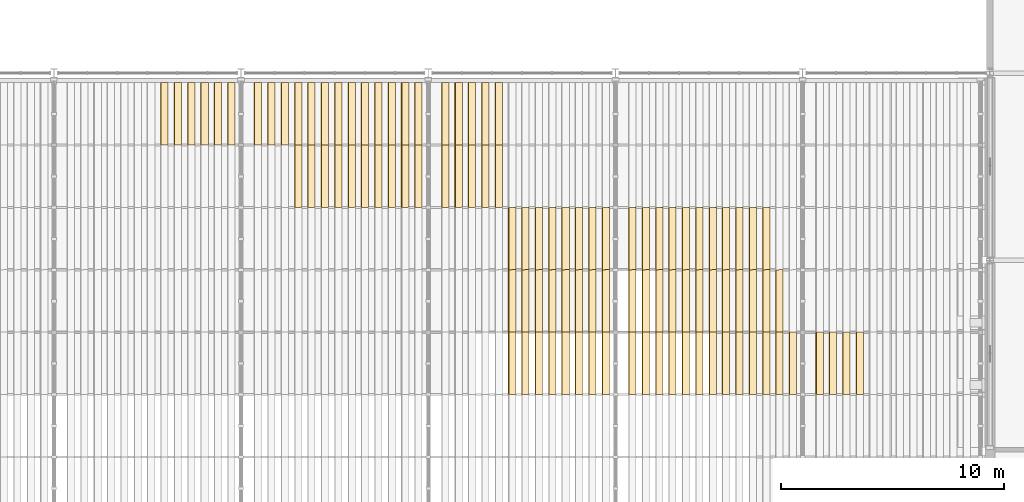
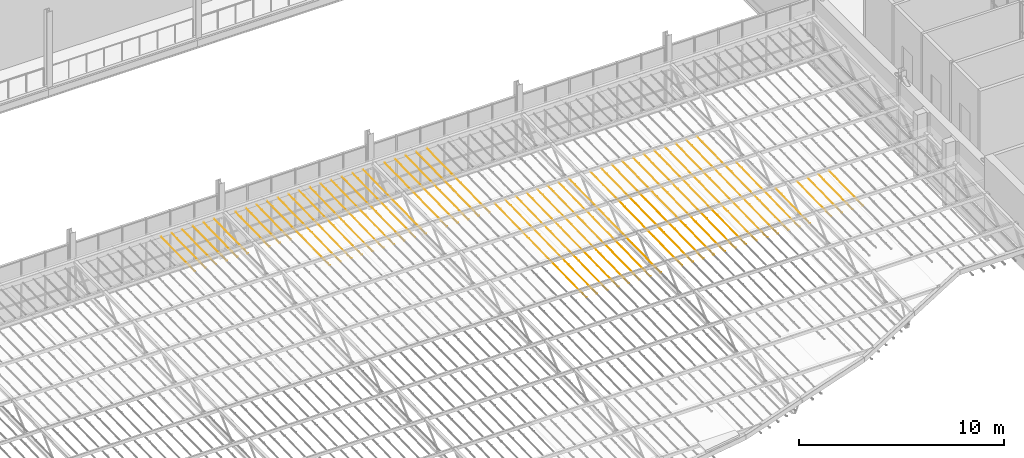
# One storey, part 124 of 129: 103 coverings.
"""IFC4 building model written with IfcOpenShell, lengths in metres."""

from ifc_helpers import new_model, si_unit, direction, frame, origin, place, context, subcontext, project, spatial, polyline, outline, extrude, material, material_profile, profile_set, type_object, element, save


model = new_model("IFC4")

# Units and contexts
model_context = context("Model", 3, precision=1e-05, world=origin(), true_north=direction((0.0, 1.0)))
body_context = subcontext(model_context, "Body", "Model", "MODEL_VIEW")
ifc_project = project(units=[si_unit("LENGTHUNIT", "METRE"), si_unit("AREAUNIT", "SQUARE_METRE"), si_unit("VOLUMEUNIT", "CUBIC_METRE"), si_unit("PLANEANGLEUNIT", "RADIAN"), si_unit("MASSUNIT", "GRAM", prefix="KILO")], contexts=[model_context])

# Site, building, storey
site_placement = place(None, origin())
site = spatial("IfcSite", under=ifc_project, at=site_placement, CompositionType="ELEMENT")
building_placement = place(site_placement, origin())
building = spatial("IfcBuilding", under=site, at=building_placement, Name="Ardhachandra Cancer Care Centre", CompositionType="ELEMENT")
storey_placement = place(building_placement, frame((0.0, 0.0, 4.5)))
storey = spatial("IfcBuildingStorey", under=building, at=storey_placement, Name="L01", CompositionType="ELEMENT", Elevation=4.5)

# Coverings
ifc_material = material(Name="Anodised aluminium", Category="aluminium")
ifc_material_profile = material_profile(ifc_material, outline(polyline([(-0.01220703125, 0.0), (0.01220703125, 0.0), (0.327392578125, -0.449951171875), (0.302978515625, -0.449951171875), (-0.01220703125, 0.0)])), Name="Louvre fin 450")
ifc_profile_set = profile_set([ifc_material_profile], Name="Anodised aluminium")
covering_type = type_object("IfcCoveringType", Name="Louvre fin 450", PredefinedType="CLADDING", material=ifc_profile_set)
for number, where, z_axis, x_axis, name in (
    (1, (74.39990234375, 54.175048828125, 2.743408203125), (0.0, -0.999800721691, -0.019962888244), (1.0, 0.0, 0.0), "Louvre fin 50-1"),
    (2, (75.0, 54.175048828125, 2.743408203125), (0.0, -0.999800721691, -0.019962888244), (1.0, 0.0, 0.0), "Louvre fin 51-1"),
    (3, (75.60009765625, 54.175048828125, 2.743408203125), (0.0, -0.999800721691, -0.019962888244), (1.0, 0.0, 0.0), "Louvre fin 52-1"),
    (4, (76.199951171875, 54.175048828125, 2.743408203125), (0.0, -0.999800721691, -0.019962888244), (1.0, 0.0, 0.0), "Louvre fin 53-1"),
    (5, (76.800048828125, 54.175048828125, 2.743408203125), (0.0, -0.999800721691, -0.019962888244), (1.0, 0.0, 0.0), "Louvre fin 54-1"),
    (6, (77.39990234375, 54.175048828125, 2.743408203125), (0.0, -0.999800721691, -0.019962888244), (1.0, 0.0, 0.0), "Louvre fin 55-1"),
    (7, (78.60009765625, 54.175048828125, 2.743408203125), (0.0, -0.999800721691, -0.019962888244), (1.0, 0.0, 0.0), "Louvre fin 57-1"),
    (8, (79.199951171875, 54.175048828125, 2.743408203125), (0.0, -0.999800721691, -0.019962888244), (1.0, 0.0, 0.0), "Louvre fin 58-1"),
    (9, (79.800048828125, 54.175048828125, 2.743408203125), (0.0, -0.999800721691, -0.019962888244), (1.0, 0.0, 0.0), "Louvre fin 59-1"),
    (10, (80.39990234375, 54.175048828125, 2.743408203125), (0.0, -0.999800721691, -0.019962888244), (1.0, 0.0, 0.0), "Louvre fin 60-1"),
    (11, (80.39990234375, 51.375, 2.6875), (0.0, -0.999800721691, -0.019962888244), (1.0, 0.0, 0.0), "Louvre fin 60-2"),
    (12, (81.0, 54.175048828125, 2.743408203125), (0.0, -0.999800721691, -0.019962888244), (1.0, 0.0, 0.0), "Louvre fin 61-1"),
    (13, (81.0, 51.375, 2.6875), (0.0, -0.999800721691, -0.019962888244), (1.0, 0.0, 0.0), "Louvre fin 61-2"),
    (14, (81.60009765625, 54.175048828125, 2.743408203125), (0.0, -0.999800721691, -0.019962888244), (1.0, 0.0, 0.0), "Louvre fin 62-1"),
    (15, (81.60009765625, 51.375, 2.6875), (0.0, -0.999800721691, -0.019962888244), (1.0, 0.0, 0.0), "Louvre fin 62-2"),
    (16, (82.199951171875, 54.175048828125, 2.743408203125), (0.0, -0.999800721691, -0.019962888244), (1.0, 0.0, 0.0), "Louvre fin 63-1"),
    (17, (82.199951171875, 51.375, 2.6875), (0.0, -0.999800721691, -0.019962888244), (1.0, 0.0, 0.0), "Louvre fin 63-2"),
    (18, (82.800048828125, 54.175048828125, 2.743408203125), (0.0, -0.999800721691, -0.019962888244), (1.0, 0.0, 0.0), "Louvre fin 64-1"),
    (19, (82.800048828125, 51.375, 2.6875), (0.0, -0.999800721691, -0.019962888244), (1.0, 0.0, 0.0), "Louvre fin 64-2"),
    (20, (83.39990234375, 54.175048828125, 2.743408203125), (0.0, -0.999800721691, -0.019962888244), (1.0, 0.0, 0.0), "Louvre fin 65-1"),
    (21, (83.39990234375, 51.375, 2.6875), (0.0, -0.999800721691, -0.019962888244), (1.0, 0.0, 0.0), "Louvre fin 65-2"),
    (22, (84.0, 54.175048828125, 2.743408203125), (0.0, -0.999800721691, -0.019962888244), (1.0, 0.0, 0.0), "Louvre fin 66-1"),
    (23, (84.0, 51.375, 2.6875), (0.0, -0.999800721691, -0.019962888244), (1.0, 0.0, 0.0), "Louvre fin 66-2"),
    (24, (84.60009765625, 54.175048828125, 2.743408203125), (0.0, -0.999800721691, -0.019962888244), (1.0, 0.0, 0.0), "Louvre fin 67-1"),
    (25, (84.60009765625, 51.375, 2.6875), (0.0, -0.999800721691, -0.019962888244), (1.0, 0.0, 0.0), "Louvre fin 67-2"),
    (26, (85.199951171875, 54.175048828125, 2.743408203125), (0.0, -0.999800721691, -0.019962888244), (1.0, 0.0, 0.0), "Louvre fin 68-1"),
    (27, (85.199951171875, 51.375, 2.6875), (0.0, -0.999800721691, -0.019962888244), (1.0, 0.0, 0.0), "Louvre fin 68-2"),
    (28, (85.800048828125, 54.175048828125, 2.743408203125), (0.0, -0.999800721691, -0.019962888244), (1.0, 0.0, 0.0), "Louvre fin 69-1"),
    (29, (85.800048828125, 51.375, 2.6875), (0.0, -0.999800721691, -0.019962888244), (1.0, 0.0, 0.0), "Louvre fin 69-2"),
    (30, (87.0, 54.175048828125, 2.743408203125), (0.0, -0.999800721691, -0.019962888244), (1.0, 0.0, 0.0), "Louvre fin 71-1"),
    (31, (87.0, 51.375, 2.6875), (0.0, -0.999800721691, -0.019962888244), (1.0, 0.0, 0.0), "Louvre fin 71-2"),
    (32, (87.60009765625, 54.175048828125, 2.743408203125), (0.0, -0.999800721691, -0.019962888244), (1.0, 0.0, 0.0), "Louvre fin 72-1"),
    (33, (87.60009765625, 51.375, 2.6875), (0.0, -0.999800721691, -0.019962888244), (1.0, 0.0, 0.0), "Louvre fin 72-2"),
    (34, (88.199951171875, 54.175048828125, 2.743408203125), (0.0, -0.999800721691, -0.019962888244), (1.0, 0.0, 0.0), "Louvre fin 73-1"),
    (35, (88.199951171875, 51.375, 2.6875), (0.0, -0.999800721691, -0.019962888244), (1.0, 0.0, 0.0), "Louvre fin 73-2"),
    (36, (88.800048828125, 54.175048828125, 2.743408203125), (0.0, -0.999800721691, -0.019962888244), (1.0, 0.0, 0.0), "Louvre fin 74-1"),
    (37, (88.800048828125, 51.375, 2.6875), (0.0, -0.999800721691, -0.019962888244), (1.0, 0.0, 0.0), "Louvre fin 74-2"),
    (38, (89.39990234375, 54.175048828125, 2.743408203125), (0.0, -0.999800721691, -0.019962888244), (1.0, 0.0, 0.0), "Louvre fin 75-1"),
    (39, (89.39990234375, 51.375, 2.6875), (0.0, -0.999800721691, -0.019962888244), (1.0, 0.0, 0.0), "Louvre fin 75-2"),
    (40, (90.0, 48.574951171875, 2.631591796875), (0.0, -0.999798977995, -0.02005002746), (1.0, 0.0, 0.0), "Louvre fin 76-3"),
):
    element("IfcCovering", number, at=place(storey_placement, frame(where, z_axis=z_axis, x_axis=x_axis)), inside=storey, type_object=covering_type, Name=name, PredefinedType="CLADDING", context=body_context, shape_type="SweptSolid", body=[
        extrude(outline(polyline([(-0.01220703125, 0.0), (0.01220703125, 0.0), (0.327392578125, -0.449951171875), (0.302978515625, -0.449951171875), (-0.01220703125, 0.0)])), origin(), (0.0, 0.0, 1.0), 2.800537109375),
    ])
covering_1_placement = place(storey_placement, frame((90.0, 45.77490234375, 2.575439453125), z_axis=(0.0, -0.999800686946, -0.019964628297), x_axis=(1.0, 0.0, 0.0)))
element("IfcCovering", 41, at=covering_1_placement, inside=storey, type_object=covering_type, Name="Louvre fin 76-4", PredefinedType="CLADDING", context=body_context, shape_type="SweptSolid", body=[
    extrude(outline(polyline([(-0.01220703125, 0.0), (0.01220703125, 0.0), (0.327392578125, -0.449951171875), (0.302978515625, -0.449951171875), (-0.01220703125, 0.0)])), origin(), (0.0, 0.0, 1.0), 2.80029296875),
])
for number, where, z_axis, x_axis, name in (
    (42, (90.0, 42.97509765625, 2.51953125), (0.0, -0.999798977995, -0.02005002746), (1.0, 0.0, 0.0), "Louvre fin 76-5"),
    (43, (90.60009765625, 48.574951171875, 2.631591796875), (0.0, -0.999798977995, -0.02005002746), (1.0, 0.0, 0.0), "Louvre fin 77-3"),
):
    element("IfcCovering", number, at=place(storey_placement, frame(where, z_axis=z_axis, x_axis=x_axis)), inside=storey, type_object=covering_type, Name=name, PredefinedType="CLADDING", context=body_context, shape_type="SweptSolid", body=[
        extrude(outline(polyline([(-0.01220703125, 0.0), (0.01220703125, 0.0), (0.327392578125, -0.449951171875), (0.302978515625, -0.449951171875), (-0.01220703125, 0.0)])), origin(), (0.0, 0.0, 1.0), 2.800537109375),
    ])
covering_2_placement = place(storey_placement, frame((90.60009765625, 45.77490234375, 2.575439453125), z_axis=(0.0, -0.999800686946, -0.019964628297), x_axis=(1.0, 0.0, 0.0)))
element("IfcCovering", 44, at=covering_2_placement, inside=storey, type_object=covering_type, Name="Louvre fin 77-4", PredefinedType="CLADDING", context=body_context, shape_type="SweptSolid", body=[
    extrude(outline(polyline([(-0.01220703125, 0.0), (0.01220703125, 0.0), (0.327392578125, -0.449951171875), (0.302978515625, -0.449951171875), (-0.01220703125, 0.0)])), origin(), (0.0, 0.0, 1.0), 2.80029296875),
])
for number, where, z_axis, x_axis, name in (
    (45, (90.60009765625, 42.97509765625, 2.51953125), (0.0, -0.999798977995, -0.02005002746), (1.0, 0.0, 0.0), "Louvre fin 77-5"),
    (46, (91.199951171875, 48.574951171875, 2.631591796875), (0.0, -0.999798977995, -0.02005002746), (1.0, 0.0, 0.0), "Louvre fin 78-3"),
):
    element("IfcCovering", number, at=place(storey_placement, frame(where, z_axis=z_axis, x_axis=x_axis)), inside=storey, type_object=covering_type, Name=name, PredefinedType="CLADDING", context=body_context, shape_type="SweptSolid", body=[
        extrude(outline(polyline([(-0.01220703125, 0.0), (0.01220703125, 0.0), (0.327392578125, -0.449951171875), (0.302978515625, -0.449951171875), (-0.01220703125, 0.0)])), origin(), (0.0, 0.0, 1.0), 2.800537109375),
    ])
covering_3_placement = place(storey_placement, frame((91.199951171875, 45.77490234375, 2.575439453125), z_axis=(0.0, -0.999800686946, -0.019964628297), x_axis=(1.0, 0.0, 0.0)))
element("IfcCovering", 47, at=covering_3_placement, inside=storey, type_object=covering_type, Name="Louvre fin 78-4", PredefinedType="CLADDING", context=body_context, shape_type="SweptSolid", body=[
    extrude(outline(polyline([(-0.01220703125, 0.0), (0.01220703125, 0.0), (0.327392578125, -0.449951171875), (0.302978515625, -0.449951171875), (-0.01220703125, 0.0)])), origin(), (0.0, 0.0, 1.0), 2.80029296875),
])
for number, where, z_axis, x_axis, name in (
    (48, (91.199951171875, 42.97509765625, 2.51953125), (0.0, -0.999798977995, -0.02005002746), (1.0, 0.0, 0.0), "Louvre fin 78-5"),
    (49, (91.800048828125, 48.574951171875, 2.631591796875), (0.0, -0.999798977995, -0.02005002746), (1.0, 0.0, 0.0), "Louvre fin 79-3"),
):
    element("IfcCovering", number, at=place(storey_placement, frame(where, z_axis=z_axis, x_axis=x_axis)), inside=storey, type_object=covering_type, Name=name, PredefinedType="CLADDING", context=body_context, shape_type="SweptSolid", body=[
        extrude(outline(polyline([(-0.01220703125, 0.0), (0.01220703125, 0.0), (0.327392578125, -0.449951171875), (0.302978515625, -0.449951171875), (-0.01220703125, 0.0)])), origin(), (0.0, 0.0, 1.0), 2.800537109375),
    ])
covering_4_placement = place(storey_placement, frame((91.800048828125, 45.77490234375, 2.575439453125), z_axis=(0.0, -0.999800686946, -0.019964628297), x_axis=(1.0, 0.0, 0.0)))
element("IfcCovering", 50, at=covering_4_placement, inside=storey, type_object=covering_type, Name="Louvre fin 79-4", PredefinedType="CLADDING", context=body_context, shape_type="SweptSolid", body=[
    extrude(outline(polyline([(-0.01220703125, 0.0), (0.01220703125, 0.0), (0.327392578125, -0.449951171875), (0.302978515625, -0.449951171875), (-0.01220703125, 0.0)])), origin(), (0.0, 0.0, 1.0), 2.80029296875),
])
for number, where, z_axis, x_axis, name in (
    (51, (91.800048828125, 42.97509765625, 2.51953125), (0.0, -0.999798977995, -0.02005002746), (1.0, 0.0, 0.0), "Louvre fin 79-5"),
    (52, (92.39990234375, 48.574951171875, 2.631591796875), (0.0, -0.999798977995, -0.02005002746), (1.0, 0.0, 0.0), "Louvre fin 80-3"),
):
    element("IfcCovering", number, at=place(storey_placement, frame(where, z_axis=z_axis, x_axis=x_axis)), inside=storey, type_object=covering_type, Name=name, PredefinedType="CLADDING", context=body_context, shape_type="SweptSolid", body=[
        extrude(outline(polyline([(-0.01220703125, 0.0), (0.01220703125, 0.0), (0.327392578125, -0.449951171875), (0.302978515625, -0.449951171875), (-0.01220703125, 0.0)])), origin(), (0.0, 0.0, 1.0), 2.800537109375),
    ])
covering_5_placement = place(storey_placement, frame((92.39990234375, 45.77490234375, 2.575439453125), z_axis=(0.0, -0.999800686946, -0.019964628297), x_axis=(1.0, 0.0, 0.0)))
element("IfcCovering", 53, at=covering_5_placement, inside=storey, type_object=covering_type, Name="Louvre fin 80-4", PredefinedType="CLADDING", context=body_context, shape_type="SweptSolid", body=[
    extrude(outline(polyline([(-0.01220703125, 0.0), (0.01220703125, 0.0), (0.327392578125, -0.449951171875), (0.302978515625, -0.449951171875), (-0.01220703125, 0.0)])), origin(), (0.0, 0.0, 1.0), 2.80029296875),
])
for number, where, z_axis, x_axis, name in (
    (54, (92.39990234375, 42.97509765625, 2.51953125), (0.0, -0.999798977995, -0.02005002746), (1.0, 0.0, 0.0), "Louvre fin 80-5"),
    (55, (93.0, 48.574951171875, 2.631591796875), (0.0, -0.999798977995, -0.02005002746), (1.0, 0.0, 0.0), "Louvre fin 81-3"),
):
    element("IfcCovering", number, at=place(storey_placement, frame(where, z_axis=z_axis, x_axis=x_axis)), inside=storey, type_object=covering_type, Name=name, PredefinedType="CLADDING", context=body_context, shape_type="SweptSolid", body=[
        extrude(outline(polyline([(-0.01220703125, 0.0), (0.01220703125, 0.0), (0.327392578125, -0.449951171875), (0.302978515625, -0.449951171875), (-0.01220703125, 0.0)])), origin(), (0.0, 0.0, 1.0), 2.800537109375),
    ])
covering_6_placement = place(storey_placement, frame((93.0, 45.77490234375, 2.575439453125), z_axis=(0.0, -0.999800686946, -0.019964628297), x_axis=(1.0, 0.0, 0.0)))
element("IfcCovering", 56, at=covering_6_placement, inside=storey, type_object=covering_type, Name="Louvre fin 81-4", PredefinedType="CLADDING", context=body_context, shape_type="SweptSolid", body=[
    extrude(outline(polyline([(-0.01220703125, 0.0), (0.01220703125, 0.0), (0.327392578125, -0.449951171875), (0.302978515625, -0.449951171875), (-0.01220703125, 0.0)])), origin(), (0.0, 0.0, 1.0), 2.80029296875),
])
for number, where, z_axis, x_axis, name in (
    (57, (93.0, 42.97509765625, 2.51953125), (0.0, -0.999798977995, -0.02005002746), (1.0, 0.0, 0.0), "Louvre fin 81-5"),
    (58, (93.60009765625, 48.574951171875, 2.631591796875), (0.0, -0.999798977995, -0.02005002746), (1.0, 0.0, 0.0), "Louvre fin 82-3"),
):
    element("IfcCovering", number, at=place(storey_placement, frame(where, z_axis=z_axis, x_axis=x_axis)), inside=storey, type_object=covering_type, Name=name, PredefinedType="CLADDING", context=body_context, shape_type="SweptSolid", body=[
        extrude(outline(polyline([(-0.01220703125, 0.0), (0.01220703125, 0.0), (0.327392578125, -0.449951171875), (0.302978515625, -0.449951171875), (-0.01220703125, 0.0)])), origin(), (0.0, 0.0, 1.0), 2.800537109375),
    ])
covering_7_placement = place(storey_placement, frame((93.60009765625, 45.77490234375, 2.575439453125), z_axis=(0.0, -0.999800686946, -0.019964628297), x_axis=(1.0, 0.0, 0.0)))
element("IfcCovering", 59, at=covering_7_placement, inside=storey, type_object=covering_type, Name="Louvre fin 82-4", PredefinedType="CLADDING", context=body_context, shape_type="SweptSolid", body=[
    extrude(outline(polyline([(-0.01220703125, 0.0), (0.01220703125, 0.0), (0.327392578125, -0.449951171875), (0.302978515625, -0.449951171875), (-0.01220703125, 0.0)])), origin(), (0.0, 0.0, 1.0), 2.80029296875),
])
for number, where, z_axis, x_axis, name in (
    (60, (93.60009765625, 42.97509765625, 2.51953125), (0.0, -0.999798977995, -0.02005002746), (1.0, 0.0, 0.0), "Louvre fin 82-5"),
    (61, (94.199951171875, 48.574951171875, 2.631591796875), (0.0, -0.999798977995, -0.02005002746), (1.0, 0.0, 0.0), "Louvre fin 83-3"),
):
    element("IfcCovering", number, at=place(storey_placement, frame(where, z_axis=z_axis, x_axis=x_axis)), inside=storey, type_object=covering_type, Name=name, PredefinedType="CLADDING", context=body_context, shape_type="SweptSolid", body=[
        extrude(outline(polyline([(-0.01220703125, 0.0), (0.01220703125, 0.0), (0.327392578125, -0.449951171875), (0.302978515625, -0.449951171875), (-0.01220703125, 0.0)])), origin(), (0.0, 0.0, 1.0), 2.800537109375),
    ])
covering_8_placement = place(storey_placement, frame((94.199951171875, 45.77490234375, 2.575439453125), z_axis=(0.0, -0.999800686946, -0.019964628297), x_axis=(1.0, 0.0, 0.0)))
element("IfcCovering", 62, at=covering_8_placement, inside=storey, type_object=covering_type, Name="Louvre fin 83-4", PredefinedType="CLADDING", context=body_context, shape_type="SweptSolid", body=[
    extrude(outline(polyline([(-0.01220703125, 0.0), (0.01220703125, 0.0), (0.327392578125, -0.449951171875), (0.302978515625, -0.449951171875), (-0.01220703125, 0.0)])), origin(), (0.0, 0.0, 1.0), 2.80029296875),
])
for number, where, z_axis, x_axis, name in (
    (63, (94.199951171875, 42.97509765625, 2.51953125), (0.0, -0.999798977995, -0.02005002746), (1.0, 0.0, 0.0), "Louvre fin 83-5"),
    (64, (95.39990234375, 48.574951171875, 2.631591796875), (0.0, -0.999798977995, -0.02005002746), (1.0, 0.0, 0.0), "Louvre fin 85-3"),
):
    element("IfcCovering", number, at=place(storey_placement, frame(where, z_axis=z_axis, x_axis=x_axis)), inside=storey, type_object=covering_type, Name=name, PredefinedType="CLADDING", context=body_context, shape_type="SweptSolid", body=[
        extrude(outline(polyline([(-0.01220703125, 0.0), (0.01220703125, 0.0), (0.327392578125, -0.449951171875), (0.302978515625, -0.449951171875), (-0.01220703125, 0.0)])), origin(), (0.0, 0.0, 1.0), 2.800537109375),
    ])
covering_9_placement = place(storey_placement, frame((95.39990234375, 45.77490234375, 2.575439453125), z_axis=(0.0, -0.999800686946, -0.019964628297), x_axis=(1.0, 0.0, 0.0)))
element("IfcCovering", 65, at=covering_9_placement, inside=storey, type_object=covering_type, Name="Louvre fin 85-4", PredefinedType="CLADDING", context=body_context, shape_type="SweptSolid", body=[
    extrude(outline(polyline([(-0.01220703125, 0.0), (0.01220703125, 0.0), (0.327392578125, -0.449951171875), (0.302978515625, -0.449951171875), (-0.01220703125, 0.0)])), origin(), (0.0, 0.0, 1.0), 2.80029296875),
])
for number, where, z_axis, x_axis, name in (
    (66, (95.39990234375, 42.97509765625, 2.51953125), (0.0, -0.999798977995, -0.02005002746), (1.0, 0.0, 0.0), "Louvre fin 85-5"),
    (67, (96.0, 48.574951171875, 2.631591796875), (0.0, -0.999798977995, -0.02005002746), (1.0, 0.0, 0.0), "Louvre fin 86-3"),
):
    element("IfcCovering", number, at=place(storey_placement, frame(where, z_axis=z_axis, x_axis=x_axis)), inside=storey, type_object=covering_type, Name=name, PredefinedType="CLADDING", context=body_context, shape_type="SweptSolid", body=[
        extrude(outline(polyline([(-0.01220703125, 0.0), (0.01220703125, 0.0), (0.327392578125, -0.449951171875), (0.302978515625, -0.449951171875), (-0.01220703125, 0.0)])), origin(), (0.0, 0.0, 1.0), 2.800537109375),
    ])
covering_10_placement = place(storey_placement, frame((96.0, 45.77490234375, 2.575439453125), z_axis=(0.0, -0.999800686946, -0.019964628297), x_axis=(1.0, 0.0, 0.0)))
element("IfcCovering", 68, at=covering_10_placement, inside=storey, type_object=covering_type, Name="Louvre fin 86-4", PredefinedType="CLADDING", context=body_context, shape_type="SweptSolid", body=[
    extrude(outline(polyline([(-0.01220703125, 0.0), (0.01220703125, 0.0), (0.327392578125, -0.449951171875), (0.302978515625, -0.449951171875), (-0.01220703125, 0.0)])), origin(), (0.0, 0.0, 1.0), 2.80029296875),
])
for number, where, z_axis, x_axis, name in (
    (69, (96.0, 42.97509765625, 2.51953125), (0.0, -0.999798977995, -0.02005002746), (1.0, 0.0, 0.0), "Louvre fin 86-5"),
    (70, (96.60009765625, 48.574951171875, 2.631591796875), (0.0, -0.999798977995, -0.02005002746), (1.0, 0.0, 0.0), "Louvre fin 87-3"),
):
    element("IfcCovering", number, at=place(storey_placement, frame(where, z_axis=z_axis, x_axis=x_axis)), inside=storey, type_object=covering_type, Name=name, PredefinedType="CLADDING", context=body_context, shape_type="SweptSolid", body=[
        extrude(outline(polyline([(-0.01220703125, 0.0), (0.01220703125, 0.0), (0.327392578125, -0.449951171875), (0.302978515625, -0.449951171875), (-0.01220703125, 0.0)])), origin(), (0.0, 0.0, 1.0), 2.800537109375),
    ])
covering_11_placement = place(storey_placement, frame((96.60009765625, 45.77490234375, 2.575439453125), z_axis=(0.0, -0.999800686946, -0.019964628297), x_axis=(1.0, 0.0, 0.0)))
element("IfcCovering", 71, at=covering_11_placement, inside=storey, type_object=covering_type, Name="Louvre fin 87-4", PredefinedType="CLADDING", context=body_context, shape_type="SweptSolid", body=[
    extrude(outline(polyline([(-0.01220703125, 0.0), (0.01220703125, 0.0), (0.327392578125, -0.449951171875), (0.302978515625, -0.449951171875), (-0.01220703125, 0.0)])), origin(), (0.0, 0.0, 1.0), 2.80029296875),
])
for number, where, z_axis, x_axis, name in (
    (72, (96.60009765625, 42.97509765625, 2.51953125), (0.0, -0.999798977995, -0.02005002746), (1.0, 0.0, 0.0), "Louvre fin 87-5"),
    (73, (97.199951171875, 48.574951171875, 2.631591796875), (0.0, -0.999798977995, -0.02005002746), (1.0, 0.0, 0.0), "Louvre fin 88-3"),
):
    element("IfcCovering", number, at=place(storey_placement, frame(where, z_axis=z_axis, x_axis=x_axis)), inside=storey, type_object=covering_type, Name=name, PredefinedType="CLADDING", context=body_context, shape_type="SweptSolid", body=[
        extrude(outline(polyline([(-0.01220703125, 0.0), (0.01220703125, 0.0), (0.327392578125, -0.449951171875), (0.302978515625, -0.449951171875), (-0.01220703125, 0.0)])), origin(), (0.0, 0.0, 1.0), 2.800537109375),
    ])
covering_12_placement = place(storey_placement, frame((97.199951171875, 45.77490234375, 2.575439453125), z_axis=(0.0, -0.999800686946, -0.019964628297), x_axis=(1.0, 0.0, 0.0)))
element("IfcCovering", 74, at=covering_12_placement, inside=storey, type_object=covering_type, Name="Louvre fin 88-4", PredefinedType="CLADDING", context=body_context, shape_type="SweptSolid", body=[
    extrude(outline(polyline([(-0.01220703125, 0.0), (0.01220703125, 0.0), (0.327392578125, -0.449951171875), (0.302978515625, -0.449951171875), (-0.01220703125, 0.0)])), origin(), (0.0, 0.0, 1.0), 2.80029296875),
])
for number, where, z_axis, x_axis, name in (
    (75, (97.199951171875, 42.97509765625, 2.51953125), (0.0, -0.999798977995, -0.02005002746), (1.0, 0.0, 0.0), "Louvre fin 88-5"),
    (76, (97.800048828125, 48.574951171875, 2.631591796875), (0.0, -0.999798977995, -0.02005002746), (1.0, 0.0, 0.0), "Louvre fin 89-3"),
):
    element("IfcCovering", number, at=place(storey_placement, frame(where, z_axis=z_axis, x_axis=x_axis)), inside=storey, type_object=covering_type, Name=name, PredefinedType="CLADDING", context=body_context, shape_type="SweptSolid", body=[
        extrude(outline(polyline([(-0.01220703125, 0.0), (0.01220703125, 0.0), (0.327392578125, -0.449951171875), (0.302978515625, -0.449951171875), (-0.01220703125, 0.0)])), origin(), (0.0, 0.0, 1.0), 2.800537109375),
    ])
covering_13_placement = place(storey_placement, frame((97.800048828125, 45.77490234375, 2.575439453125), z_axis=(0.0, -0.999800686946, -0.019964628297), x_axis=(1.0, 0.0, 0.0)))
element("IfcCovering", 77, at=covering_13_placement, inside=storey, type_object=covering_type, Name="Louvre fin 89-4", PredefinedType="CLADDING", context=body_context, shape_type="SweptSolid", body=[
    extrude(outline(polyline([(-0.01220703125, 0.0), (0.01220703125, 0.0), (0.327392578125, -0.449951171875), (0.302978515625, -0.449951171875), (-0.01220703125, 0.0)])), origin(), (0.0, 0.0, 1.0), 2.80029296875),
])
for number, where, z_axis, x_axis, name in (
    (78, (97.800048828125, 42.97509765625, 2.51953125), (0.0, -0.999798977995, -0.02005002746), (1.0, 0.0, 0.0), "Louvre fin 89-5"),
    (79, (98.39990234375, 48.574951171875, 2.631591796875), (0.0, -0.999798977995, -0.02005002746), (1.0, 0.0, 0.0), "Louvre fin 90-3"),
):
    element("IfcCovering", number, at=place(storey_placement, frame(where, z_axis=z_axis, x_axis=x_axis)), inside=storey, type_object=covering_type, Name=name, PredefinedType="CLADDING", context=body_context, shape_type="SweptSolid", body=[
        extrude(outline(polyline([(-0.01220703125, 0.0), (0.01220703125, 0.0), (0.327392578125, -0.449951171875), (0.302978515625, -0.449951171875), (-0.01220703125, 0.0)])), origin(), (0.0, 0.0, 1.0), 2.800537109375),
    ])
covering_14_placement = place(storey_placement, frame((98.39990234375, 45.77490234375, 2.575439453125), z_axis=(0.0, -0.999800686946, -0.019964628297), x_axis=(1.0, 0.0, 0.0)))
element("IfcCovering", 80, at=covering_14_placement, inside=storey, type_object=covering_type, Name="Louvre fin 90-4", PredefinedType="CLADDING", context=body_context, shape_type="SweptSolid", body=[
    extrude(outline(polyline([(-0.01220703125, 0.0), (0.01220703125, 0.0), (0.327392578125, -0.449951171875), (0.302978515625, -0.449951171875), (-0.01220703125, 0.0)])), origin(), (0.0, 0.0, 1.0), 2.80029296875),
])
for number, where, z_axis, x_axis, name in (
    (81, (98.39990234375, 42.97509765625, 2.51953125), (0.0, -0.999798977995, -0.02005002746), (1.0, 0.0, 0.0), "Louvre fin 90-5"),
    (82, (99.0, 48.574951171875, 2.631591796875), (0.0, -0.999798977995, -0.02005002746), (1.0, 0.0, 0.0), "Louvre fin 91-3"),
):
    element("IfcCovering", number, at=place(storey_placement, frame(where, z_axis=z_axis, x_axis=x_axis)), inside=storey, type_object=covering_type, Name=name, PredefinedType="CLADDING", context=body_context, shape_type="SweptSolid", body=[
        extrude(outline(polyline([(-0.01220703125, 0.0), (0.01220703125, 0.0), (0.327392578125, -0.449951171875), (0.302978515625, -0.449951171875), (-0.01220703125, 0.0)])), origin(), (0.0, 0.0, 1.0), 2.800537109375),
    ])
covering_15_placement = place(storey_placement, frame((99.0, 45.77490234375, 2.575439453125), z_axis=(0.0, -0.999800686946, -0.019964628297), x_axis=(1.0, 0.0, 0.0)))
element("IfcCovering", 83, at=covering_15_placement, inside=storey, type_object=covering_type, Name="Louvre fin 91-4", PredefinedType="CLADDING", context=body_context, shape_type="SweptSolid", body=[
    extrude(outline(polyline([(-0.01220703125, 0.0), (0.01220703125, 0.0), (0.327392578125, -0.449951171875), (0.302978515625, -0.449951171875), (-0.01220703125, 0.0)])), origin(), (0.0, 0.0, 1.0), 2.80029296875),
])
for number, where, z_axis, x_axis, name in (
    (84, (99.0, 42.97509765625, 2.51953125), (0.0, -0.999798977995, -0.02005002746), (1.0, 0.0, 0.0), "Louvre fin 91-5"),
    (85, (99.60009765625, 48.574951171875, 2.631591796875), (0.0, -0.999798977995, -0.02005002746), (1.0, 0.0, 0.0), "Louvre fin 92-3"),
):
    element("IfcCovering", number, at=place(storey_placement, frame(where, z_axis=z_axis, x_axis=x_axis)), inside=storey, type_object=covering_type, Name=name, PredefinedType="CLADDING", context=body_context, shape_type="SweptSolid", body=[
        extrude(outline(polyline([(-0.01220703125, 0.0), (0.01220703125, 0.0), (0.327392578125, -0.449951171875), (0.302978515625, -0.449951171875), (-0.01220703125, 0.0)])), origin(), (0.0, 0.0, 1.0), 2.800537109375),
    ])
covering_16_placement = place(storey_placement, frame((99.60009765625, 45.77490234375, 2.575439453125), z_axis=(0.0, -0.999800686946, -0.019964628297), x_axis=(1.0, 0.0, 0.0)))
element("IfcCovering", 86, at=covering_16_placement, inside=storey, type_object=covering_type, Name="Louvre fin 92-4", PredefinedType="CLADDING", context=body_context, shape_type="SweptSolid", body=[
    extrude(outline(polyline([(-0.01220703125, 0.0), (0.01220703125, 0.0), (0.327392578125, -0.449951171875), (0.302978515625, -0.449951171875), (-0.01220703125, 0.0)])), origin(), (0.0, 0.0, 1.0), 2.80029296875),
])
for number, where, z_axis, x_axis, name in (
    (87, (99.60009765625, 42.97509765625, 2.51953125), (0.0, -0.999798977995, -0.02005002746), (1.0, 0.0, 0.0), "Louvre fin 92-5"),
    (88, (100.199951171875, 48.574951171875, 2.631591796875), (0.0, -0.999798977995, -0.02005002746), (1.0, 0.0, 0.0), "Louvre fin 93-3"),
):
    element("IfcCovering", number, at=place(storey_placement, frame(where, z_axis=z_axis, x_axis=x_axis)), inside=storey, type_object=covering_type, Name=name, PredefinedType="CLADDING", context=body_context, shape_type="SweptSolid", body=[
        extrude(outline(polyline([(-0.01220703125, 0.0), (0.01220703125, 0.0), (0.327392578125, -0.449951171875), (0.302978515625, -0.449951171875), (-0.01220703125, 0.0)])), origin(), (0.0, 0.0, 1.0), 2.800537109375),
    ])
covering_17_placement = place(storey_placement, frame((100.199951171875, 45.77490234375, 2.575439453125), z_axis=(0.0, -0.999800686946, -0.019964628297), x_axis=(1.0, 0.0, 0.0)))
element("IfcCovering", 89, at=covering_17_placement, inside=storey, type_object=covering_type, Name="Louvre fin 93-4", PredefinedType="CLADDING", context=body_context, shape_type="SweptSolid", body=[
    extrude(outline(polyline([(-0.01220703125, 0.0), (0.01220703125, 0.0), (0.327392578125, -0.449951171875), (0.302978515625, -0.449951171875), (-0.01220703125, 0.0)])), origin(), (0.0, 0.0, 1.0), 2.80029296875),
])
for number, where, z_axis, x_axis, name in (
    (90, (100.199951171875, 42.97509765625, 2.51953125), (0.0, -0.999798977995, -0.02005002746), (1.0, 0.0, 0.0), "Louvre fin 93-5"),
    (91, (100.800048828125, 48.574951171875, 2.631591796875), (0.0, -0.999798977995, -0.02005002746), (1.0, 0.0, 0.0), "Louvre fin 94-3"),
):
    element("IfcCovering", number, at=place(storey_placement, frame(where, z_axis=z_axis, x_axis=x_axis)), inside=storey, type_object=covering_type, Name=name, PredefinedType="CLADDING", context=body_context, shape_type="SweptSolid", body=[
        extrude(outline(polyline([(-0.01220703125, 0.0), (0.01220703125, 0.0), (0.327392578125, -0.449951171875), (0.302978515625, -0.449951171875), (-0.01220703125, 0.0)])), origin(), (0.0, 0.0, 1.0), 2.800537109375),
    ])
covering_18_placement = place(storey_placement, frame((100.800048828125, 45.77490234375, 2.575439453125), z_axis=(0.0, -0.999800686946, -0.019964628297), x_axis=(1.0, 0.0, 0.0)))
element("IfcCovering", 92, at=covering_18_placement, inside=storey, type_object=covering_type, Name="Louvre fin 94-4", PredefinedType="CLADDING", context=body_context, shape_type="SweptSolid", body=[
    extrude(outline(polyline([(-0.01220703125, 0.0), (0.01220703125, 0.0), (0.327392578125, -0.449951171875), (0.302978515625, -0.449951171875), (-0.01220703125, 0.0)])), origin(), (0.0, 0.0, 1.0), 2.80029296875),
])
for number, where, z_axis, x_axis, name in (
    (93, (100.800048828125, 42.97509765625, 2.51953125), (0.0, -0.999798977995, -0.02005002746), (1.0, 0.0, 0.0), "Louvre fin 94-5"),
    (94, (101.39990234375, 48.574951171875, 2.631591796875), (0.0, -0.999798977995, -0.02005002746), (1.0, 0.0, 0.0), "Louvre fin 95-3"),
):
    element("IfcCovering", number, at=place(storey_placement, frame(where, z_axis=z_axis, x_axis=x_axis)), inside=storey, type_object=covering_type, Name=name, PredefinedType="CLADDING", context=body_context, shape_type="SweptSolid", body=[
        extrude(outline(polyline([(-0.01220703125, 0.0), (0.01220703125, 0.0), (0.327392578125, -0.449951171875), (0.302978515625, -0.449951171875), (-0.01220703125, 0.0)])), origin(), (0.0, 0.0, 1.0), 2.800537109375),
    ])
covering_19_placement = place(storey_placement, frame((101.39990234375, 45.77490234375, 2.575439453125), z_axis=(0.0, -0.999800686946, -0.019964628297), x_axis=(1.0, 0.0, 0.0)))
element("IfcCovering", 95, at=covering_19_placement, inside=storey, type_object=covering_type, Name="Louvre fin 95-4", PredefinedType="CLADDING", context=body_context, shape_type="SweptSolid", body=[
    extrude(outline(polyline([(-0.01220703125, 0.0), (0.01220703125, 0.0), (0.327392578125, -0.449951171875), (0.302978515625, -0.449951171875), (-0.01220703125, 0.0)])), origin(), (0.0, 0.0, 1.0), 2.80029296875),
])
covering_20_placement = place(storey_placement, frame((101.39990234375, 42.97509765625, 2.51953125), z_axis=(0.0, -0.999798977995, -0.02005002746), x_axis=(1.0, 0.0, 0.0)))
element("IfcCovering", 96, at=covering_20_placement, inside=storey, type_object=covering_type, Name="Louvre fin 95-5", PredefinedType="CLADDING", context=body_context, shape_type="SweptSolid", body=[
    extrude(outline(polyline([(-0.01220703125, 0.0), (0.01220703125, 0.0), (0.327392578125, -0.449951171875), (0.302978515625, -0.449951171875), (-0.01220703125, 0.0)])), origin(), (0.0, 0.0, 1.0), 2.800537109375),
])
covering_21_placement = place(storey_placement, frame((102.0, 45.77490234375, 2.575439453125), z_axis=(0.0, -0.999800686946, -0.019964628297), x_axis=(1.0, 0.0, 0.0)))
element("IfcCovering", 97, at=covering_21_placement, inside=storey, type_object=covering_type, Name="Louvre fin 96-4", PredefinedType="CLADDING", context=body_context, shape_type="SweptSolid", body=[
    extrude(outline(polyline([(-0.01220703125, 0.0), (0.01220703125, 0.0), (0.327392578125, -0.449951171875), (0.302978515625, -0.449951171875), (-0.01220703125, 0.0)])), origin(), (0.0, 0.0, 1.0), 2.80029296875),
])
for number, where, z_axis, x_axis, name in (
    (98, (102.0, 42.97509765625, 2.51953125), (0.0, -0.999798977995, -0.02005002746), (1.0, 0.0, 0.0), "Louvre fin 96-5"),
    (99, (102.60009765625, 42.97509765625, 2.51953125), (0.0, -0.999798977995, -0.02005002746), (1.0, 0.0, 0.0), "Louvre fin 97-5"),
    (100, (103.800048828125, 42.97509765625, 2.51953125), (0.0, -0.999798977995, -0.02005002746), (1.0, 0.0, 0.0), "Louvre fin 99-5"),
    (101, (104.39990234375, 42.97509765625, 2.51953125), (0.0, -0.999798977995, -0.02005002746), (1.0, 0.0, 0.0), "Louvre fin 100-5"),
    (102, (105.0, 42.97509765625, 2.51953125), (0.0, -0.999798977995, -0.02005002746), (1.0, 0.0, 0.0), "Louvre fin 101-5"),
    (103, (105.60009765625, 42.97509765625, 2.51953125), (0.0, -0.999798977995, -0.02005002746), (1.0, 0.0, 0.0), "Louvre fin 102-5"),
):
    element("IfcCovering", number, at=place(storey_placement, frame(where, z_axis=z_axis, x_axis=x_axis)), inside=storey, type_object=covering_type, Name=name, PredefinedType="CLADDING", context=body_context, shape_type="SweptSolid", body=[
        extrude(outline(polyline([(-0.01220703125, 0.0), (0.01220703125, 0.0), (0.327392578125, -0.449951171875), (0.302978515625, -0.449951171875), (-0.01220703125, 0.0)])), origin(), (0.0, 0.0, 1.0), 2.800537109375),
    ])

save(model, "model.ifc")
